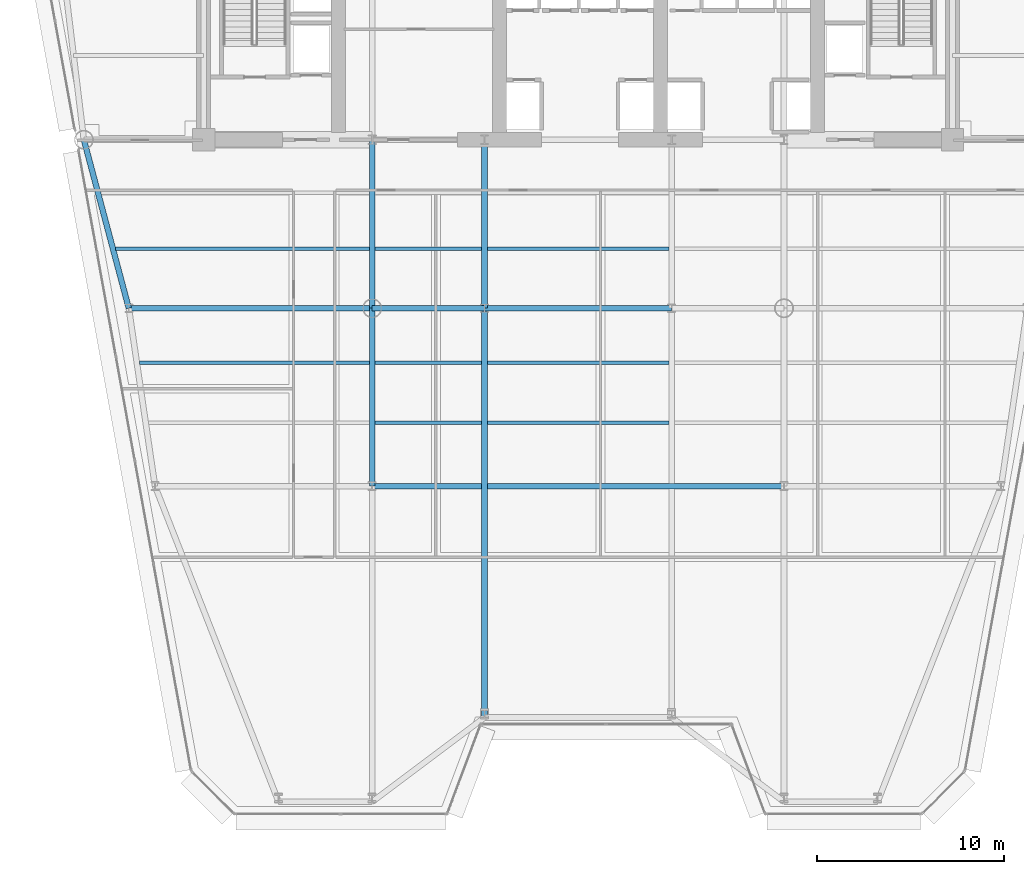
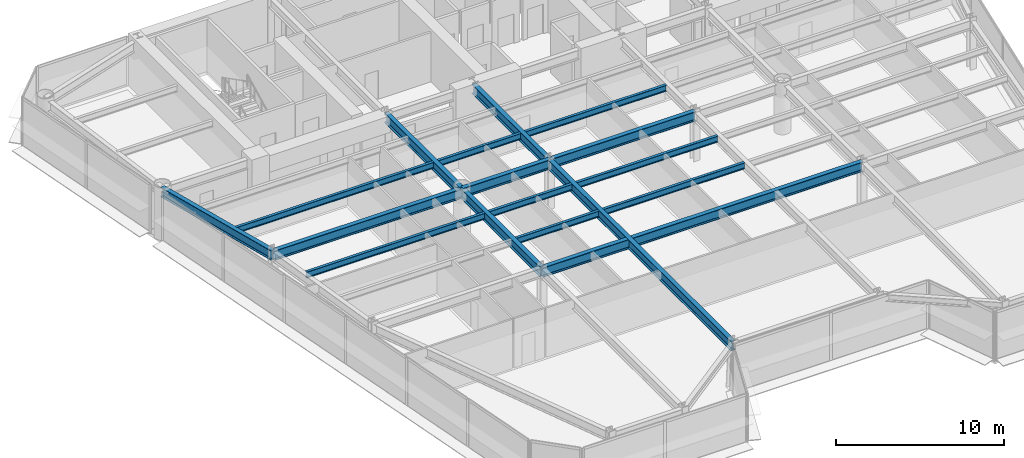
# One storey, part 3 of 14: 17 beams.
"""IFC4 building model written with IfcOpenShell, lengths in metres."""

from ifc_helpers import new_model, si_unit, direction, frame, origin, origin_2d, place, context, subcontext, project, spatial, i_section, extrude, source, transform, mapped, material, material_profile, profile_set, type_object, element, save


model = new_model("IFC4")

# Units and contexts
model_context = context("Model", 3, precision=1e-05, world=origin(), true_north=direction((0.0, 1.0)))
body_context = subcontext(model_context, "Body", "Model", "MODEL_VIEW")
ifc_project = project(units=[si_unit("LENGTHUNIT", "METRE"), si_unit("AREAUNIT", "SQUARE_METRE"), si_unit("VOLUMEUNIT", "CUBIC_METRE"), si_unit("PLANEANGLEUNIT", "RADIAN"), si_unit("MASSUNIT", "GRAM", prefix="KILO")], contexts=[model_context])

# Site, building, storey
site_placement = place(None, origin())
site = spatial("IfcSite", under=ifc_project, at=site_placement, CompositionType="ELEMENT")
building_placement = place(site_placement, origin())
building = spatial("IfcBuilding", under=site, at=building_placement, Name="Vaeldorn Concourse Tower", CompositionType="ELEMENT")
storey_placement = place(building_placement, frame((0.0, 0.0, 137.60009765625)))
storey = spatial("IfcBuildingStorey", under=building, at=storey_placement, Name="L35", CompositionType="ELEMENT", Elevation=137.60009765625)

# Beams
ifc_material = material(Name="Steel S355", Category="steel")
ifc_material_profile_1 = material_profile(ifc_material, i_section(OverallWidth=0.300048828125, OverallDepth=0.699951171875, WebThickness=0.01708984375, FlangeThickness=0.031982421875, FilletRadius=0.027099609375, at=origin_2d()), Name="HEB 700")
ifc_profile_set_1 = profile_set([ifc_material_profile_1], Name="Steel S355")
beam_type_1 = type_object("IfcBeamType", Name="BM-PG-HEB700", PredefinedType="BEAM", material=ifc_profile_set_1)
shared_shape_1 = source(origin(), body_context, "Body", "SweptSolid", [
    extrude(i_section(OverallWidth=0.300048828125, OverallDepth=0.699951171875, WebThickness=0.01708984375, FlangeThickness=0.031982421875, FilletRadius=0.027099609375, at=origin_2d()), origin(), (0.0, 0.0, 1.0), 6.0),
])
beam_1_placement = place(storey_placement, frame((23.0, 27.5, 3.22998046875), z_axis=(1.0, 0.0, 0.0), x_axis=(0.0, 1.0, 0.0)))
element("IfcBeam", 1, at=beam_1_placement, inside=storey, type_object=beam_type_1, Name="Beam BM-L35-C-TW1-C-TW2", PredefinedType="BEAM", context=body_context, shape_type="MappedRepresentation", body=[
    mapped(shared_shape_1, transform((0.0, 0.0, 0.0), scale=1.0)),
])
shared_shape_2 = source(origin(), body_context, "Body", "SweptSolid", [
    extrude(i_section(OverallWidth=0.300048828125, OverallDepth=0.699951171875, WebThickness=0.01708984375, FlangeThickness=0.031982421875, FilletRadius=0.027099609375, at=origin_2d()), origin(), (0.0, 0.0, 1.0), 10.0),
])
beam_2_placement = place(storey_placement, frame((29.0, 27.5, 3.22998046875), z_axis=(1.0, 0.0, 0.0), x_axis=(0.0, 1.0, 0.0)))
element("IfcBeam", 2, at=beam_2_placement, inside=storey, type_object=beam_type_1, Name="Beam BM-L35-C-TW2-C-TW3", PredefinedType="BEAM", context=body_context, shape_type="MappedRepresentation", body=[
    mapped(shared_shape_2, transform((0.0, 0.0, 0.0), scale=1.0)),
])
shared_shape_3 = source(origin(), body_context, "Body", "SweptSolid", [
    extrude(i_section(OverallWidth=0.300048828125, OverallDepth=0.699951171875, WebThickness=0.01708984375, FlangeThickness=0.031982421875, FilletRadius=0.027099609375, at=origin_2d()), origin(), (0.0, 0.0, 1.0), 9.0),
])
for number, where, z_axis, x_axis, name in (
    (3, (23.0, 27.5, 3.22998046875), (0.0, 1.0, 0.0), (-1.0, 0.0, 0.0), "Beam BM-L35-C-TW1-C-FC2"),
    (4, (29.0, 27.5, 3.22998046875), (0.0, 1.0, 0.0), (-1.0, 0.0, 0.0), "Beam BM-L35-C-TW2-C-FC3"),
):
    element("IfcBeam", number, at=place(storey_placement, frame(where, z_axis=z_axis, x_axis=x_axis)), inside=storey, type_object=beam_type_1, Name=name, PredefinedType="BEAM", context=body_context, shape_type="MappedRepresentation", body=[
        mapped(shared_shape_3, transform((0.0, 0.0, 0.0), scale=1.0)),
    ])
shared_shape_4 = source(origin(), body_context, "Body", "SweptSolid", [
    extrude(i_section(OverallWidth=0.300048828125, OverallDepth=0.699951171875, WebThickness=0.01708984375, FlangeThickness=0.031982421875, FilletRadius=0.027099609375, at=origin_2d()), origin(), (0.0, 0.0, 1.0), 9.314453125),
])
beam_3_placement = place(storey_placement, frame((7.60009765625, 36.5, 3.22998046875), z_axis=(0.257652862255, -0.966237549763, 0.0), x_axis=(0.966237549763, 0.257652862255, 0.0)))
element("IfcBeam", 5, at=beam_3_placement, inside=storey, type_object=beam_type_1, Name="Beam BM-L35-C-NW2-C-FLW1", PredefinedType="BEAM", context=body_context, shape_type="MappedRepresentation", body=[
    mapped(shared_shape_4, transform((0.0, 0.0, 0.0), scale=1.0)),
])
shared_shape_5 = source(origin(), body_context, "Body", "SweptSolid", [
    extrude(i_section(OverallWidth=0.300048828125, OverallDepth=0.699951171875, WebThickness=0.01708984375, FlangeThickness=0.031982421875, FilletRadius=0.027099609375, at=origin_2d()), origin(), (0.0, 0.0, 1.0), 13.0),
])
beam_4_placement = place(storey_placement, frame((10.0, 27.5, 3.22998046875), z_axis=(1.0, 0.0, 0.0), x_axis=(0.0, 1.0, 0.0)))
element("IfcBeam", 6, at=beam_4_placement, inside=storey, type_object=beam_type_1, Name="Beam BM-L35-C-FLW1-C-TW1", PredefinedType="BEAM", context=body_context, shape_type="MappedRepresentation", body=[
    mapped(shared_shape_5, transform((0.0, 0.0, 0.0), scale=1.0)),
])
shared_shape_6 = source(origin(), body_context, "Body", "SweptSolid", [
    extrude(i_section(OverallWidth=0.300048828125, OverallDepth=0.699951171875, WebThickness=0.01708984375, FlangeThickness=0.031982421875, FilletRadius=0.027099609375, at=origin_2d()), origin(), (0.0, 0.0, 1.0), 22.0),
])
beam_5_placement = place(storey_placement, frame((23.0, 18.0, 3.22998046875), z_axis=(1.0, 0.0, 0.0), x_axis=(0.0, 1.0, 0.0)))
element("IfcBeam", 7, at=beam_5_placement, inside=storey, type_object=beam_type_1, Name="Beam BM-L35-C-TW5-C-TW6", PredefinedType="BEAM", context=body_context, shape_type="MappedRepresentation", body=[
    mapped(shared_shape_6, transform((0.0, 0.0, 0.0), scale=1.0)),
])
shared_shape_7 = source(origin(), body_context, "Body", "SweptSolid", [
    extrude(i_section(OverallWidth=0.300048828125, OverallDepth=0.699951171875, WebThickness=0.01708984375, FlangeThickness=0.031982421875, FilletRadius=0.027099609375, at=origin_2d()), origin(), (0.0, 0.0, 1.0), 9.5),
])
beam_6_placement = place(storey_placement, frame((23.0, 18.0, 3.22998046875), z_axis=(0.0, 1.0, 0.0), x_axis=(-1.0, 0.0, 0.0)))
element("IfcBeam", 8, at=beam_6_placement, inside=storey, type_object=beam_type_1, Name="Beam BM-L35-C-TW5-C-TW1", PredefinedType="BEAM", context=body_context, shape_type="MappedRepresentation", body=[
    mapped(shared_shape_7, transform((0.0, 0.0, 0.0), scale=1.0)),
])
ifc_material_profile_2 = material_profile(ifc_material, i_section(OverallWidth=0.18994140625, OverallDepth=0.449951171875, WebThickness=0.009521484375, FlangeThickness=0.0146484375, FilletRadius=0.02099609375, at=origin_2d()), Name="IPE 450")
ifc_profile_set_2 = profile_set([ifc_material_profile_2], Name="Steel S355")
beam_type_2 = type_object("IfcBeamType", Name="BM-JS-IPE450", PredefinedType="JOIST", material=ifc_profile_set_2)
shared_shape_8 = source(origin(), body_context, "Body", "SweptSolid", [
    extrude(i_section(OverallWidth=0.18994140625, OverallDepth=0.449951171875, WebThickness=0.009521484375, FlangeThickness=0.0146484375, FilletRadius=0.02099609375, at=origin_2d()), origin(), (0.0, 0.0, 1.0), 5.7001953125),
])
for number, where, z_axis, x_axis, name in (
    (9, (23.14990234375, 21.3798828125, 3.35498046875), (1.0, 0.0, 0.0), (0.0, 1.0, 0.0), "Beam JS-L35-W2-213"),
    (10, (23.14990234375, 24.580078125, 3.35498046875), (1.0, 0.0, 0.0), (0.0, 1.0, 0.0), "Beam JS-L35-W2-245"),
    (11, (23.14990234375, 30.679931640625, 3.35498046875), (1.0, 0.0, 0.0), (0.0, 1.0, 0.0), "Beam JS-L35-W2-306"),
):
    element("IfcBeam", number, at=place(storey_placement, frame(where, z_axis=z_axis, x_axis=x_axis)), inside=storey, type_object=beam_type_2, Name=name, PredefinedType="JOIST", context=body_context, shape_type="MappedRepresentation", body=[
        mapped(shared_shape_8, transform((0.0, 0.0, 0.0), scale=1.0)),
    ])
shared_shape_9 = source(origin(), body_context, "Body", "SweptSolid", [
    extrude(i_section(OverallWidth=0.18994140625, OverallDepth=0.449951171875, WebThickness=0.009521484375, FlangeThickness=0.0146484375, FilletRadius=0.02099609375, at=origin_2d()), origin(), (0.0, 0.0, 1.0), 9.7001953125),
])
for number, where, z_axis, x_axis, name in (
    (12, (29.14990234375, 21.3798828125, 3.35498046875), (1.0, 0.0, 0.0), (0.0, 1.0, 0.0), "Beam JS-L35-C-213"),
    (13, (29.14990234375, 24.580078125, 3.35498046875), (1.0, 0.0, 0.0), (0.0, 1.0, 0.0), "Beam JS-L35-C-245"),
    (14, (29.14990234375, 30.679931640625, 3.35498046875), (1.0, 0.0, 0.0), (0.0, 1.0, 0.0), "Beam JS-L35-C-306"),
):
    element("IfcBeam", number, at=place(storey_placement, frame(where, z_axis=z_axis, x_axis=x_axis)), inside=storey, type_object=beam_type_2, Name=name, PredefinedType="JOIST", context=body_context, shape_type="MappedRepresentation", body=[
        mapped(shared_shape_9, transform((0.0, 0.0, 0.0), scale=1.0)),
    ])
shared_shape_10 = source(origin(), body_context, "Body", "SweptSolid", [
    extrude(i_section(OverallWidth=0.300048828125, OverallDepth=0.699951171875, WebThickness=0.01708984375, FlangeThickness=0.031982421875, FilletRadius=0.027099609375, at=origin_2d()), origin(), (0.0, 0.0, 1.0), 21.86083984375),
])
beam_7_placement = place(storey_placement, frame((29.0, 5.63916015625, 3.22998046875), z_axis=(0.0, 1.0, 0.0), x_axis=(-1.0, 0.0, 0.0)))
element("IfcBeam", 15, at=beam_7_placement, inside=storey, type_object=beam_type_1, Name="Beam BM-L35-C-SF3-C-TW2", PredefinedType="BEAM", context=body_context, shape_type="MappedRepresentation", body=[
    mapped(shared_shape_10, transform((0.0, 0.0, 0.0), scale=1.0)),
])
shared_shape_11 = source(origin(), body_context, "Body", "SweptSolid", [
    extrude(i_section(OverallWidth=0.18994140625, OverallDepth=0.449951171875, WebThickness=0.009521484375, FlangeThickness=0.0146484375, FilletRadius=0.02099609375, at=origin_2d()), origin(), (0.0, 0.0, 1.0), 12.269775390625),
])
beam_8_placement = place(storey_placement, frame((10.580322265625, 24.580078125, 3.35498046875), z_axis=(1.0, 0.0, 0.0), x_axis=(0.0, 1.0, 0.0)))
element("IfcBeam", 16, at=beam_8_placement, inside=storey, type_object=beam_type_2, Name="Beam JS-L35-W1-245", PredefinedType="JOIST", context=body_context, shape_type="MappedRepresentation", body=[
    mapped(shared_shape_11, transform((0.0, 0.0, 0.0), scale=1.0)),
])
shared_shape_12 = source(origin(), body_context, "Body", "SweptSolid", [
    extrude(i_section(OverallWidth=0.18994140625, OverallDepth=0.449951171875, WebThickness=0.009521484375, FlangeThickness=0.0146484375, FilletRadius=0.02099609375, at=origin_2d()), origin(), (0.0, 0.0, 1.0), 13.548095703125),
])
beam_9_placement = place(storey_placement, frame((9.302001953125, 30.679931640625, 3.35498046875), z_axis=(1.0, 0.0, 0.0), x_axis=(0.0, 1.0, 0.0)))
element("IfcBeam", 17, at=beam_9_placement, inside=storey, type_object=beam_type_2, Name="Beam JS-L35-W1-306", PredefinedType="JOIST", context=body_context, shape_type="MappedRepresentation", body=[
    mapped(shared_shape_12, transform((0.0, 0.0, 0.0), scale=1.0)),
])

save(model, "model.ifc")
